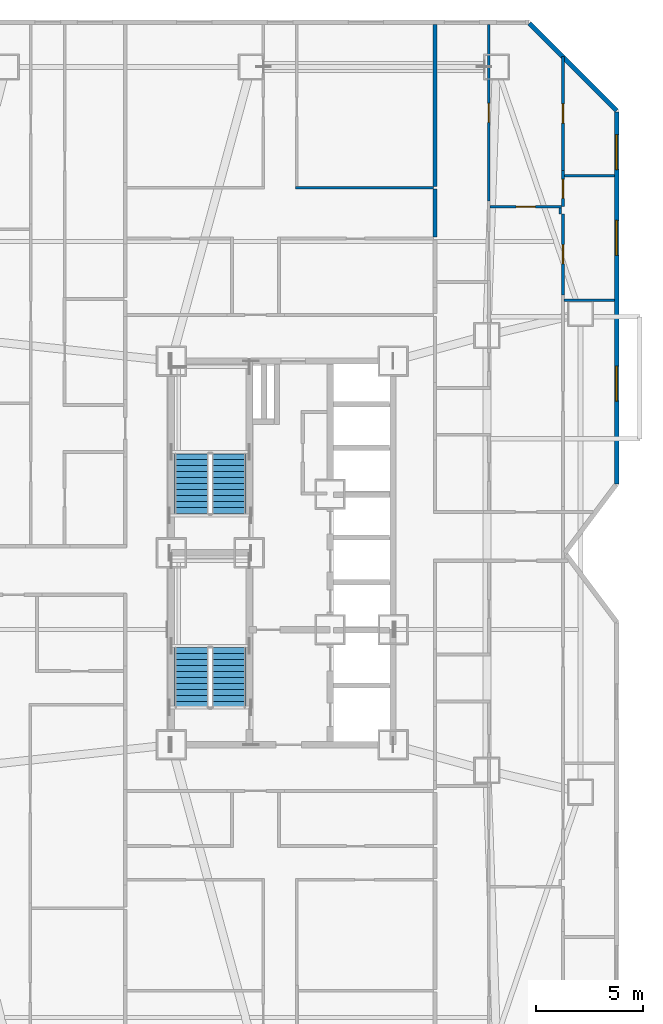
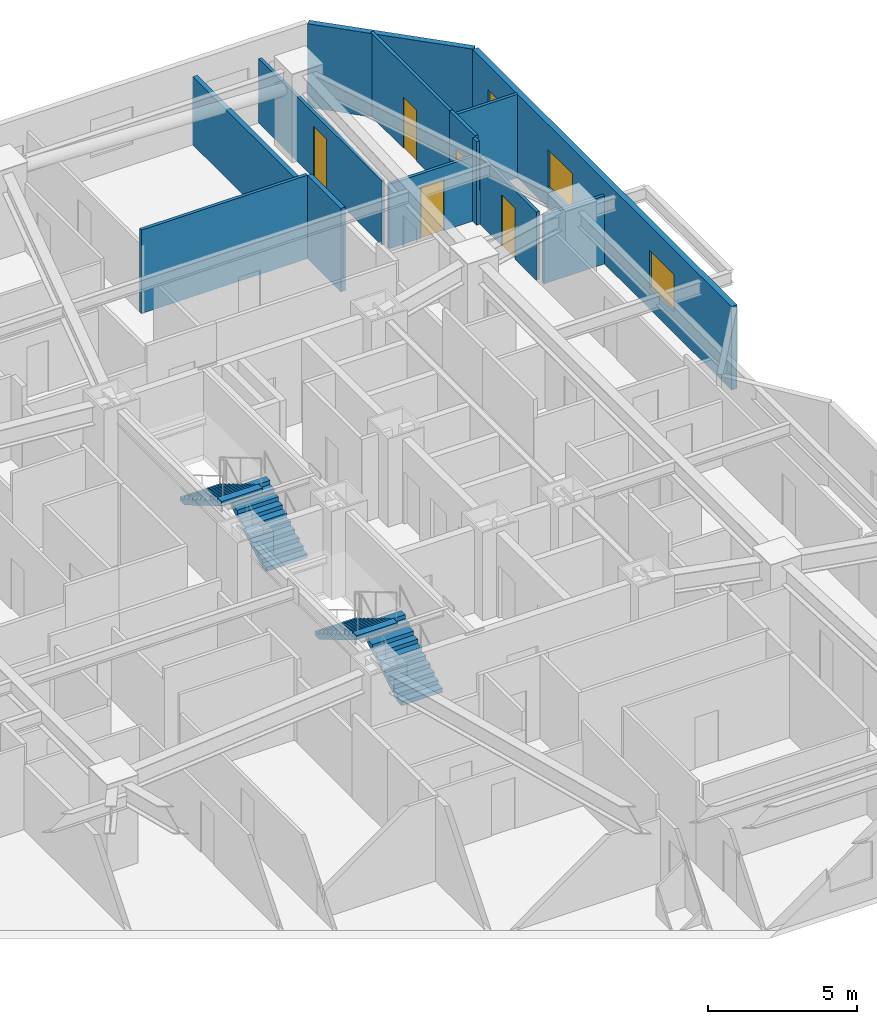
# One storey, part 13 of 14: 13 walls, 5 doors, 4 stair flights, 3 windows, 8 openings, 2 elements without a shape of their own.
"""IFC4 building model written with IfcOpenShell, lengths in metres."""

from ifc_helpers import new_model, si_unit, direction, frame, frame_2d, origin, place, context, subcontext, project, spatial, polyline, rectangle, outline, extrude, material, layer, layer_set, type_object, element, fill, aggregate, save


model = new_model("IFC4")

# Units and contexts
model_context = context("Model", 3, precision=1e-05, world=origin(), true_north=direction((0.0, 1.0)))
body_context = subcontext(model_context, "Body", "Model", "MODEL_VIEW")
ifc_project = project(units=[si_unit("LENGTHUNIT", "METRE"), si_unit("AREAUNIT", "SQUARE_METRE"), si_unit("VOLUMEUNIT", "CUBIC_METRE"), si_unit("PLANEANGLEUNIT", "RADIAN"), si_unit("MASSUNIT", "GRAM", prefix="KILO")], contexts=[model_context])

# Site, building, storey
site_placement = place(None, origin())
site = spatial("IfcSite", under=ifc_project, at=site_placement, CompositionType="ELEMENT")
building_placement = place(site_placement, origin())
building = spatial("IfcBuilding", under=site, at=building_placement, Name="Khamvora Tower", CompositionType="ELEMENT")
storey_placement = place(building_placement, frame((0.0, 0.0, 40.60009765625)))
storey = spatial("IfcBuildingStorey", under=building, at=storey_placement, Name="L09", CompositionType="ELEMENT", Elevation=40.60009765625)

# Walls
ifc_material_1 = material(Name="Acoustic Double-Stud Fire Wall", Category="gypsum")
ifc_layer_1 = layer(ifc_material_1, 0.179931640625)
ifc_layer_set_1 = layer_set([ifc_layer_1], Name="Acoustic Double-Stud Fire Wall")
wall_type_1 = type_object("IfcWallType", Name="WAL-CORR-180", PredefinedType="STANDARD", material=ifc_layer_set_1)
wall_1_placement = place(storey_placement, frame((41.364990234375, 45.06005859375, 0.0), z_axis=(0.0, 0.0, 1.0), x_axis=(0.0, -1.0, 0.0)))
element("IfcWall", 1, at=wall_1_placement, inside=storey, type_object=wall_type_1, Name="L09 interior partition wall 130", PredefinedType="STANDARD", context=body_context, shape_type="SweptSolid", body=[
    extrude(rectangle(XDim=2.25, YDim=0.179931640625, at=frame_2d((1.125, 0.0))), origin(), (0.0, 0.0, 1.0), 3.429931640625),
])
wall_2_placement = place(storey_placement, frame((41.364990234375, 52.7880859375, 0.0), z_axis=(0.0, 0.0, 1.0), x_axis=(0.0, -1.0, 0.0)))
element("IfcWall", 2, at=wall_2_placement, inside=storey, type_object=wall_type_1, Name="L09 interior partition wall 133", PredefinedType="STANDARD", context=body_context, shape_type="SweptSolid", body=[
    extrude(rectangle(XDim=7.59814453125, YDim=0.179931640625, at=frame_2d((3.799072265625, 0.0))), origin(), (0.0, 0.0, 1.0), 2.802978515625),
])
ifc_material_2 = material(Name="Precast concrete C40/50", Category="concrete")
ifc_layer_2 = layer(ifc_material_2, 0.219970703125)
ifc_layer_set_2 = layer_set([ifc_layer_2], Name="Precast concrete C40/50")
wall_type_2 = type_object("IfcWallType", Name="WAL-EXT-220", PredefinedType="STANDARD", material=ifc_layer_set_2)
wall_3_placement = place(storey_placement, frame((45.802001953125, 52.842041015625, 0.0), z_axis=(0.0, 0.0, 1.0), x_axis=(0.707085666273, -0.70712789547, 0.0)))
element("IfcWall", 3, at=wall_3_placement, inside=storey, type_object=wall_type_2, Name="L09 exterior facade wall 08.1", PredefinedType="STANDARD", context=body_context, shape_type="SweptSolid", body=[
    extrude(rectangle(XDim=5.78125, YDim=0.219970703125, at=frame_2d((2.890625, 0.0))), origin(), (0.0, 0.0, 1.0), 3.429931640625),
])

# Wall, openings, windows
wall_4_placement = place(storey_placement, frame((49.889892578125, 48.68310546875, 0.0), z_axis=(0.0, 0.0, 1.0), x_axis=(0.0, -1.0, 0.0)))
wall_4 = element("IfcWall", 4, at=wall_4_placement, inside=storey, type_object=wall_type_2, Name="L09 exterior facade wall 09.1", PredefinedType="STANDARD", context=body_context, shape_type="SweptSolid", body=[
    extrude(rectangle(XDim=17.446044921875, YDim=0.219970703125, at=frame_2d((8.72314453125, 0.0))), origin(), (0.0, 0.0, 1.0), 3.429931640625),
])
opening_1_placement = place(wall_4_placement, frame((11.91796875, 0.0, 0.85009765625)))
opening_1 = element("IfcOpeningElement", 5, at=opening_1_placement, cuts=wall_4, Name="Opening WN-06", PredefinedType="OPENING", context=body_context, shape_type="SweptSolid", body=[
    extrude(rectangle(XDim=1.64990234375, YDim=1.550048828125, at=frame_2d((0.824951171875, 0.77490234375))), frame((0.0, 0.119873046875, 0.0), z_axis=(0.0, -1.0, 0.0), x_axis=(1.0, 0.0, 0.0)), (0.0, 0.0, 1.0), 0.239990234375),
])
opening_2_placement = place(wall_4_placement, frame((5.0791015625, 0.0, 0.85009765625)))
opening_2 = element("IfcOpeningElement", 6, at=opening_2_placement, cuts=wall_4, Name="Opening WN-06", PredefinedType="OPENING", context=body_context, shape_type="SweptSolid", body=[
    extrude(rectangle(XDim=1.64990234375, YDim=1.550048828125, at=frame_2d((0.824951171875, 0.77490234375))), frame((0.0, 0.119873046875, 0.0), z_axis=(0.0, -1.0, 0.0), x_axis=(1.0, 0.0, 0.0)), (0.0, 0.0, 1.0), 0.239990234375),
])
opening_3_placement = place(wall_4_placement, frame((1.05810546875, 0.0, 0.85009765625)))
opening_3 = element("IfcOpeningElement", 7, at=opening_3_placement, cuts=wall_4, Name="Opening WN-06", PredefinedType="OPENING", context=body_context, shape_type="SweptSolid", body=[
    extrude(rectangle(XDim=1.64990234375, YDim=1.550048828125, at=frame_2d((0.824951171875, 0.77490234375))), frame((0.0, 0.119873046875, 0.0), z_axis=(0.0, -1.0, 0.0), x_axis=(1.0, 0.0, 0.0)), (0.0, 0.0, 1.0), 0.239990234375),
])
ifc_material_3 = material(Name="Low-E Laminated Double Glazing", Category="glass")
window_type = type_object("IfcWindowType", Name="WIN-VIS-1650x1550", PartitioningType="SINGLE_PANEL", PredefinedType="WINDOW", material=ifc_material_3)
window_1_placement = place(opening_1_placement, origin())
window_1 = element("IfcWindow", 8, at=window_1_placement, inside=storey, type_object=window_type, Name="L09 vision window 09.1.01", OverallHeight=1.550048828125, OverallWidth=1.64990234375, PartitioningType="SINGLE_PANEL", PredefinedType="WINDOW", context=body_context, shape_type="SweptSolid", body=[
    extrude(rectangle(XDim=1.64990234375, YDim=1.550048828125, at=frame_2d((0.824951171875, 0.77490234375))), frame((0.0, 0.030029296875, 0.0), z_axis=(0.0, -1.0, 0.0), x_axis=(1.0, 0.0, 0.0)), (0.0, 0.0, 1.0), 0.06005859375),
])
fill(opening_1, window_1)
window_2_placement = place(opening_2_placement, origin())
window_2 = element("IfcWindow", 9, at=window_2_placement, inside=storey, type_object=window_type, Name="L09 vision window 09.1.02", OverallHeight=1.550048828125, OverallWidth=1.64990234375, PartitioningType="SINGLE_PANEL", PredefinedType="WINDOW", context=body_context, shape_type="SweptSolid", body=[
    extrude(rectangle(XDim=1.64990234375, YDim=1.550048828125, at=frame_2d((0.824951171875, 0.77490234375))), frame((0.0, 0.030029296875, 0.0), z_axis=(0.0, -1.0, 0.0), x_axis=(1.0, 0.0, 0.0)), (0.0, 0.0, 1.0), 0.06005859375),
])
fill(opening_2, window_2)
window_3_placement = place(opening_3_placement, origin())
window_3 = element("IfcWindow", 10, at=window_3_placement, inside=storey, type_object=window_type, Name="L09 vision window 09.1.03", OverallHeight=1.550048828125, OverallWidth=1.64990234375, PartitioningType="SINGLE_PANEL", PredefinedType="WINDOW", context=body_context, shape_type="SweptSolid", body=[
    extrude(rectangle(XDim=1.64990234375, YDim=1.550048828125, at=frame_2d((0.824951171875, 0.77490234375))), frame((0.0, 0.030029296875, 0.0), z_axis=(0.0, -1.0, 0.0), x_axis=(1.0, 0.0, 0.0)), (0.0, 0.0, 1.0), 0.06005859375),
])
fill(opening_3, window_3)

# Wall
ifc_material_4 = material(Name="Gypsum Plasterboard Partition", Category="gypsum")
ifc_layer_3 = layer(ifc_material_4, 0.1201171875)
ifc_layer_set_3 = layer_set([ifc_layer_3], Name="Gypsum Plasterboard Partition")
wall_type_3 = type_object("IfcWallType", Name="WAL-PART-120", PredefinedType="PARTITIONING", material=ifc_layer_set_3)
wall_5_placement = place(storey_placement, frame((34.820068359375, 45.125, 0.0), z_axis=(0.0, 0.0, 1.0), x_axis=(1.0, 0.0, 0.0)))
element("IfcWall", 11, at=wall_5_placement, inside=storey, type_object=wall_type_3, Name="L09 interior partition wall 129", PredefinedType="PARTITIONING", context=body_context, shape_type="SweptSolid", body=[
    extrude(rectangle(XDim=6.47998046875, YDim=0.1201171875, at=frame_2d((3.239990234375, 0.0))), origin(), (0.0, 0.0, 1.0), 3.429931640625),
])

# Wall, opening, door
wall_6_placement = place(storey_placement, frame((43.89501953125, 52.7880859375, 0.0), z_axis=(0.0, 0.0, 1.0), x_axis=(0.0, -1.0, 0.0)))
wall_6 = element("IfcWall", 12, at=wall_6_placement, inside=storey, type_object=wall_type_3, Name="L09 interior partition wall 150", PredefinedType="PARTITIONING", context=body_context, shape_type="SweptSolid", body=[
    extrude(rectangle(XDim=8.2900390625, YDim=0.1201171875, at=frame_2d((4.14501953125, 0.0))), origin(), (0.0, 0.0, 1.0), 2.64697265625),
])
opening_4_placement = place(wall_6_placement, frame((3.695068359375, 0.0, 0.0)))
opening_4 = element("IfcOpeningElement", 13, at=opening_4_placement, cuts=wall_6, Name="Opening D-RM1", PredefinedType="OPENING", context=body_context, shape_type="SweptSolid", body=[
    extrude(rectangle(XDim=0.89990234375, YDim=2.10009765625, at=frame_2d((0.449951171875, 1.050048828125))), frame((0.0, 0.070068359375, 0.0), z_axis=(0.0, -1.0, 0.0), x_axis=(1.0, 0.0, 0.0)), (0.0, 0.0, 1.0), 0.14013671875),
])
ifc_material_5 = material(Name="Powder-Coated Steel and Hardwood Leaf", Category="steel")
door_type = type_object("IfcDoorType", Name="DOR-ROOM-900", OperationType="NOTDEFINED", PredefinedType="DOOR", material=ifc_material_5)
door_1_placement = place(opening_4_placement, origin())
door_1 = element("IfcDoor", 14, at=door_1_placement, inside=storey, type_object=door_type, Name="L09 interior door 09EBW2-09EBD", OperationType="SINGLE_SWING_RIGHT", OverallHeight=2.10009765625, OverallWidth=0.89990234375, PredefinedType="DOOR", context=body_context, shape_type="SweptSolid", body=[
    extrude(rectangle(XDim=0.89990234375, YDim=2.10009765625, at=frame_2d((0.449951171875, 1.050048828125))), frame((0.0, 0.02490234375, 0.0), z_axis=(0.0, -1.0, 0.0), x_axis=(1.0, 0.0, 0.0)), (0.0, 0.0, 1.0), 0.050048828125),
])
fill(opening_4, door_1)

wall_7_placement = place(storey_placement, frame((43.948974609375, 44.2490234375, 0.0), z_axis=(0.0, 0.0, 1.0), x_axis=(1.0, 0.0, 0.0)))
wall_7 = element("IfcWall", 15, at=wall_7_placement, inside=storey, type_object=wall_type_3, Name="L09 interior partition wall 152", PredefinedType="PARTITIONING", context=body_context, shape_type="SweptSolid", body=[
    extrude(rectangle(XDim=3.361083984375, YDim=0.1201171875, at=frame_2d((1.6806640625, 0.0))), origin(), (0.0, 0.0, 1.0), 2.64697265625),
])
opening_5_placement = place(wall_7_placement, frame((1.23095703125, 0.0, 0.0)))
opening_5 = element("IfcOpeningElement", 16, at=opening_5_placement, cuts=wall_7, Name="Opening D-RM1", PredefinedType="OPENING", context=body_context, shape_type="SweptSolid", body=[
    extrude(rectangle(XDim=0.89990234375, YDim=2.10009765625, at=frame_2d((0.449951171875, 1.050048828125))), frame((0.0, 0.070068359375, 0.0), z_axis=(0.0, -1.0, 0.0), x_axis=(1.0, 0.0, 0.0)), (0.0, 0.0, 1.0), 0.14013671875),
])
door_2_placement = place(opening_5_placement, origin())
door_2 = element("IfcDoor", 17, at=door_2_placement, inside=storey, type_object=door_type, Name="L09 interior door 09EBH-09EBD", OperationType="SINGLE_SWING_LEFT", OverallHeight=2.10009765625, OverallWidth=0.89990234375, PredefinedType="DOOR", context=body_context, shape_type="SweptSolid", body=[
    extrude(rectangle(XDim=0.89990234375, YDim=2.10009765625, at=frame_2d((0.449951171875, 1.050048828125))), frame((0.0, 0.02490234375, 0.0), z_axis=(0.0, -1.0, 0.0), x_axis=(1.0, 0.0, 0.0)), (0.0, 0.0, 1.0), 0.050048828125),
])
fill(opening_5, door_2)

# Wall
wall_8_placement = place(storey_placement, frame((47.2451171875, 44.18408203125, 0.0), z_axis=(0.0, 0.0, 1.0), x_axis=(0.0, -1.0, 0.0)))
element("IfcWall", 18, at=wall_8_placement, inside=storey, type_object=wall_type_3, Name="L09 interior partition wall 153", PredefinedType="PARTITIONING", context=body_context, shape_type="SweptSolid", body=[
    extrude(rectangle(XDim=0.275146484375, YDim=0.1201171875, at=frame_2d((0.1376953125, 0.0))), origin(), (0.0, 0.0, 1.0), 3.429931640625),
])

# Wall, opening, door
wall_9_placement = place(storey_placement, frame((47.375, 43.908935546875, 0.0), z_axis=(0.0, 0.0, 1.0), x_axis=(0.0, -1.0, 0.0)))
wall_9 = element("IfcWall", 19, at=wall_9_placement, inside=storey, type_object=wall_type_3, Name="L09 interior partition wall 159", PredefinedType="PARTITIONING", context=body_context, shape_type="SweptSolid", body=[
    extrude(rectangle(XDim=3.802978515625, YDim=0.1201171875, at=frame_2d((1.9013671875, 0.0))), origin(), (0.0, 0.0, 1.0), 2.802978515625),
])
opening_6_placement = place(wall_9_placement, frame((1.451904296875, 0.0, 0.0)))
opening_6 = element("IfcOpeningElement", 20, at=opening_6_placement, cuts=wall_9, Name="Opening D-RM1", PredefinedType="OPENING", context=body_context, shape_type="SweptSolid", body=[
    extrude(rectangle(XDim=0.89990234375, YDim=2.10009765625, at=frame_2d((0.449951171875, 1.050048828125))), frame((0.0, 0.070068359375, 0.0), z_axis=(0.0, -1.0, 0.0), x_axis=(1.0, 0.0, 0.0)), (0.0, 0.0, 1.0), 0.14013671875),
])
door_3_placement = place(opening_6_placement, origin())
door_3 = element("IfcDoor", 21, at=door_3_placement, inside=storey, type_object=door_type, Name="L09 interior door 09EBH-09EBR2", OperationType="SINGLE_SWING_RIGHT", OverallHeight=2.10009765625, OverallWidth=0.89990234375, PredefinedType="DOOR", context=body_context, shape_type="SweptSolid", body=[
    extrude(rectangle(XDim=0.89990234375, YDim=2.10009765625, at=frame_2d((0.449951171875, 1.050048828125))), frame((0.0, 0.02490234375, 0.0), z_axis=(0.0, -1.0, 0.0), x_axis=(1.0, 0.0, 0.0)), (0.0, 0.0, 1.0), 0.050048828125),
])
fill(opening_6, door_3)

wall_10_placement = place(storey_placement, frame((47.375, 45.950927734375, 0.0), z_axis=(0.0, 0.0, 1.0), x_axis=(0.0, -1.0, 0.0)))
wall_10 = element("IfcWall", 22, at=wall_10_placement, inside=storey, type_object=wall_type_3, Name="L09 interior partition wall 160", PredefinedType="PARTITIONING", context=body_context, shape_type="SweptSolid", body=[
    extrude(rectangle(XDim=1.701904296875, YDim=0.1201171875, at=frame_2d((0.85107421875, 0.0))), origin(), (0.0, 0.0, 1.0), 3.429931640625),
])
opening_7_placement = place(wall_10_placement, frame((0.422119140625, 0.0, 0.0)))
opening_7 = element("IfcOpeningElement", 23, at=opening_7_placement, cuts=wall_10, Name="Opening D-RM1", PredefinedType="OPENING", context=body_context, shape_type="SweptSolid", body=[
    extrude(rectangle(XDim=0.89990234375, YDim=2.10009765625, at=frame_2d((0.449951171875, 1.050048828125))), frame((0.0, 0.070068359375, 0.0), z_axis=(0.0, -1.0, 0.0), x_axis=(1.0, 0.0, 0.0)), (0.0, 0.0, 1.0), 0.14013671875),
])
door_4_placement = place(opening_7_placement, origin())
door_4 = element("IfcDoor", 24, at=door_4_placement, inside=storey, type_object=door_type, Name="L09 interior door 09EBD-09EBR2", OperationType="SINGLE_SWING_LEFT", OverallHeight=2.10009765625, OverallWidth=0.89990234375, PredefinedType="DOOR", context=body_context, shape_type="SweptSolid", body=[
    extrude(rectangle(XDim=0.89990234375, YDim=2.10009765625, at=frame_2d((0.449951171875, 1.050048828125))), frame((0.0, 0.02490234375, 0.0), z_axis=(0.0, -1.0, 0.0), x_axis=(1.0, 0.0, 0.0)), (0.0, 0.0, 1.0), 0.050048828125),
])
fill(opening_7, door_4)

wall_11_placement = place(storey_placement, frame((47.375, 51.278076171875, 0.0), z_axis=(0.0, 0.0, 1.0), x_axis=(0.0, -1.0, 0.0)))
wall_11 = element("IfcWall", 25, at=wall_11_placement, inside=storey, type_object=wall_type_3, Name="L09 interior partition wall 161", PredefinedType="PARTITIONING", context=body_context, shape_type="SweptSolid", body=[
    extrude(rectangle(XDim=5.3271484375, YDim=0.1201171875, at=frame_2d((2.66357421875, 0.0))), origin(), (0.0, 0.0, 1.0), 3.429931640625),
])
opening_8_placement = place(wall_11_placement, frame((2.212890625, 0.0, 0.0)))
opening_8 = element("IfcOpeningElement", 26, at=opening_8_placement, cuts=wall_11, Name="Opening D-RM1", PredefinedType="OPENING", context=body_context, shape_type="SweptSolid", body=[
    extrude(rectangle(XDim=0.89990234375, YDim=2.10009765625, at=frame_2d((0.449951171875, 1.050048828125))), frame((0.0, 0.070068359375, 0.0), z_axis=(0.0, -1.0, 0.0), x_axis=(1.0, 0.0, 0.0)), (0.0, 0.0, 1.0), 0.14013671875),
])
door_5_placement = place(opening_8_placement, origin())
door_5 = element("IfcDoor", 27, at=door_5_placement, inside=storey, type_object=door_type, Name="L09 interior door 09EBD-09EBR3", OperationType="SINGLE_SWING_RIGHT", OverallHeight=2.10009765625, OverallWidth=0.89990234375, PredefinedType="DOOR", context=body_context, shape_type="SweptSolid", body=[
    extrude(rectangle(XDim=0.89990234375, YDim=2.10009765625, at=frame_2d((0.449951171875, 1.050048828125))), frame((0.0, 0.02490234375, 0.0), z_axis=(0.0, -1.0, 0.0), x_axis=(1.0, 0.0, 0.0)), (0.0, 0.0, 1.0), 0.050048828125),
])
fill(opening_8, door_5)

# Walls
wall_12_placement = place(storey_placement, frame((47.428955078125, 39.85693359375, 0.0), z_axis=(0.0, 0.0, 1.0), x_axis=(1.0, 0.0, 0.0)))
element("IfcWall", 28, at=wall_12_placement, inside=storey, type_object=wall_type_3, Name="L09 interior partition wall 162", PredefinedType="PARTITIONING", context=body_context, shape_type="SweptSolid", body=[
    extrude(rectangle(XDim=2.359130859375, YDim=0.1201171875, at=frame_2d((1.1796875, 0.0))), origin(), (0.0, 0.0, 1.0), 2.802978515625),
])
wall_13_placement = place(storey_placement, frame((47.428955078125, 45.700927734375, 0.0), z_axis=(0.0, 0.0, 1.0), x_axis=(1.0, 0.0, 0.0)))
element("IfcWall", 29, at=wall_13_placement, inside=storey, type_object=wall_type_3, Name="L09 interior partition wall 163", PredefinedType="PARTITIONING", context=body_context, shape_type="SweptSolid", body=[
    extrude(rectangle(XDim=2.359130859375, YDim=0.1201171875, at=frame_2d((1.1796875, 0.0))), origin(), (0.0, 0.0, 1.0), 3.429931640625),
])

# Stair, stair flights
ifc_material_6 = material(Name="Concrete C40/50", Category="concrete")
stair_type_1 = type_object("IfcStairType", Name="STR-ST-01", PredefinedType="HALF_TURN_STAIR", material=ifc_material_6)
stair_1_placement = place(storey_placement, origin())
stair_1 = element("IfcStair", 30, at=stair_1_placement, inside=storey, type_object=stair_type_1, Name="L09 South Tower Exit Stair ST-01", PredefinedType="HALF_TURN_STAIR")
stair_flight_type_1 = type_object("IfcStairFlightType", Name="STF-ST-01", PredefinedType="STRAIGHT", material=ifc_material_6)
stair_flight_1_placement = place(storey_placement, frame((31.699951171875, 20.75, 0.0), z_axis=(0.0, 0.0, 1.0), x_axis=(0.0, 1.0, 0.0)))
stair_flight_1 = element("IfcStairFlight", 31, at=stair_flight_1_placement, type_object=stair_flight_type_1, Name="ST-01 flight 1", NumberOfRisers=11, NumberOfTreads=10, PredefinedType="STRAIGHT", RiserHeight=0.165909091, TreadLength=0.28, context=body_context, shape_type="SweptSolid", body=[
    extrude(outline(polyline([(0.0, 0.0), (0.0, 0.166015625), (0.280029296875, 0.166015625), (0.280029296875, 0.331787109375), (0.56005859375, 0.331787109375), (0.56005859375, 0.497802734375), (0.840087890625, 0.497802734375), (0.840087890625, 0.66357421875), (1.1201171875, 0.66357421875), (1.1201171875, 0.82958984375), (1.39990234375, 0.82958984375), (1.39990234375, 0.995361328125), (1.679931640625, 0.995361328125), (1.679931640625, 1.161376953125), (1.9599609375, 1.161376953125), (1.9599609375, 1.327392578125), (2.239990234375, 1.327392578125), (2.239990234375, 1.4931640625), (2.52001953125, 1.4931640625), (2.52001953125, 1.6591796875), (2.800048828125, 1.6591796875), (2.800048828125, 1.824951171875), (2.800048828125, 1.48486328125), (0.2939453125, 0.0), (0.0, 0.0)])), frame((0.0, 0.800048828125, 0.0), z_axis=(0.0, -1.0, 0.0), x_axis=(1.0, 0.0, 0.0)), (0.0, 0.0, 1.0), 1.60009765625),
])
stair_flight_2_placement = place(storey_placement, frame((29.949951171875, 23.550048828125, 1.824951171875), z_axis=(0.0, 0.0, 1.0), x_axis=(0.0, -1.0, 0.0)))
stair_flight_2 = element("IfcStairFlight", 32, at=stair_flight_2_placement, type_object=stair_flight_type_1, Name="ST-01 flight 2", NumberOfRisers=11, NumberOfTreads=10, PredefinedType="STRAIGHT", RiserHeight=0.165909091, TreadLength=0.28, context=body_context, shape_type="SweptSolid", body=[
    extrude(outline(polyline([(0.0, 0.0), (0.0, 0.166015625), (0.280029296875, 0.166015625), (0.280029296875, 0.331787109375), (0.56005859375, 0.331787109375), (0.56005859375, 0.497802734375), (0.840087890625, 0.497802734375), (0.840087890625, 0.66357421875), (1.1201171875, 0.66357421875), (1.1201171875, 0.82958984375), (1.39990234375, 0.82958984375), (1.39990234375, 0.995361328125), (1.679931640625, 0.995361328125), (1.679931640625, 1.161376953125), (1.9599609375, 1.161376953125), (1.9599609375, 1.327392578125), (2.239990234375, 1.327392578125), (2.239990234375, 1.4931640625), (2.52001953125, 1.4931640625), (2.52001953125, 1.6591796875), (2.800048828125, 1.6591796875), (2.800048828125, 1.824951171875), (2.800048828125, 1.48486328125), (0.2939453125, 0.0), (0.0, 0.0)])), frame((0.0, 0.800048828125, 0.0), z_axis=(0.0, -1.0, 0.0), x_axis=(1.0, 0.0, 0.0)), (0.0, 0.0, 1.0), 1.60009765625),
])
aggregate(stair_1, [stair_flight_1, stair_flight_2])

stair_type_2 = type_object("IfcStairType", Name="STR-ST-02", PredefinedType="HALF_TURN_STAIR", material=ifc_material_6)
stair_2_placement = place(storey_placement, origin())
stair_2 = element("IfcStair", 33, at=stair_2_placement, inside=storey, type_object=stair_type_2, Name="L09 North Tower Exit Stair ST-02", PredefinedType="HALF_TURN_STAIR")
stair_flight_type_2 = type_object("IfcStairFlightType", Name="STF-ST-02", PredefinedType="STRAIGHT", material=ifc_material_6)
stair_flight_3_placement = place(storey_placement, frame((31.699951171875, 29.85009765625, 0.0), z_axis=(0.0, 0.0, 1.0), x_axis=(0.0, 1.0, 0.0)))
stair_flight_3 = element("IfcStairFlight", 34, at=stair_flight_3_placement, type_object=stair_flight_type_2, Name="ST-02 flight 1", NumberOfRisers=11, NumberOfTreads=10, PredefinedType="STRAIGHT", RiserHeight=0.165909091, TreadLength=0.28, context=body_context, shape_type="SweptSolid", body=[
    extrude(outline(polyline([(0.0, 0.0), (0.0, 0.166015625), (0.280029296875, 0.166015625), (0.280029296875, 0.331787109375), (0.56005859375, 0.331787109375), (0.56005859375, 0.497802734375), (0.840087890625, 0.497802734375), (0.840087890625, 0.66357421875), (1.1201171875, 0.66357421875), (1.1201171875, 0.82958984375), (1.39990234375, 0.82958984375), (1.39990234375, 0.995361328125), (1.679931640625, 0.995361328125), (1.679931640625, 1.161376953125), (1.9599609375, 1.161376953125), (1.9599609375, 1.327392578125), (2.239990234375, 1.327392578125), (2.239990234375, 1.4931640625), (2.52001953125, 1.4931640625), (2.52001953125, 1.6591796875), (2.800048828125, 1.6591796875), (2.800048828125, 1.824951171875), (2.800048828125, 1.48486328125), (0.2939453125, 0.0), (0.0, 0.0)])), frame((0.0, 0.800048828125, 0.0), z_axis=(0.0, -1.0, 0.0), x_axis=(1.0, 0.0, 0.0)), (0.0, 0.0, 1.0), 1.60009765625),
])
stair_flight_4_placement = place(storey_placement, frame((29.949951171875, 32.64990234375, 1.824951171875), z_axis=(0.0, 0.0, 1.0), x_axis=(0.0, -1.0, 0.0)))
stair_flight_4 = element("IfcStairFlight", 35, at=stair_flight_4_placement, type_object=stair_flight_type_2, Name="ST-02 flight 2", NumberOfRisers=11, NumberOfTreads=10, PredefinedType="STRAIGHT", RiserHeight=0.165909091, TreadLength=0.28, context=body_context, shape_type="SweptSolid", body=[
    extrude(outline(polyline([(0.0, 0.0), (0.0, 0.166015625), (0.280029296875, 0.166015625), (0.280029296875, 0.331787109375), (0.56005859375, 0.331787109375), (0.56005859375, 0.497802734375), (0.840087890625, 0.497802734375), (0.840087890625, 0.66357421875), (1.1201171875, 0.66357421875), (1.1201171875, 0.82958984375), (1.39990234375, 0.82958984375), (1.39990234375, 0.995361328125), (1.679931640625, 0.995361328125), (1.679931640625, 1.161376953125), (1.9599609375, 1.161376953125), (1.9599609375, 1.327392578125), (2.239990234375, 1.327392578125), (2.239990234375, 1.4931640625), (2.52001953125, 1.4931640625), (2.52001953125, 1.6591796875), (2.800048828125, 1.6591796875), (2.800048828125, 1.824951171875), (2.800048828125, 1.48486328125), (0.2939453125, 0.0), (0.0, 0.0)])), frame((0.0, 0.800048828125, 0.0), z_axis=(0.0, -1.0, 0.0), x_axis=(1.0, 0.0, 0.0)), (0.0, 0.0, 1.0), 1.60009765625),
])
aggregate(stair_2, [stair_flight_3, stair_flight_4])

save(model, "model.ifc")
